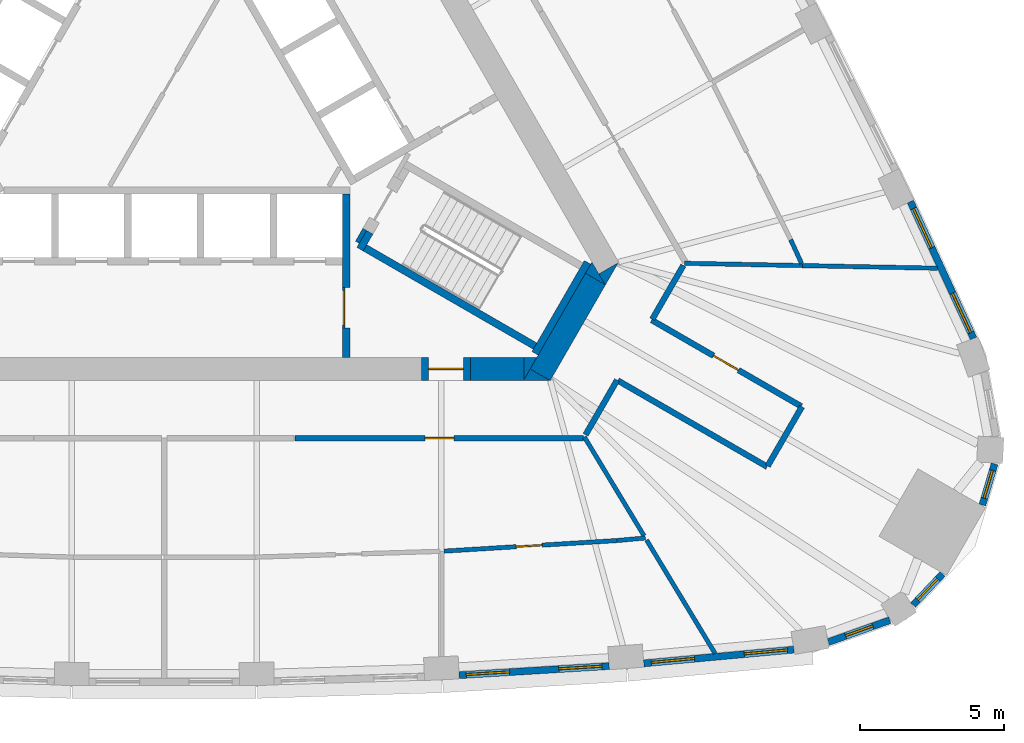
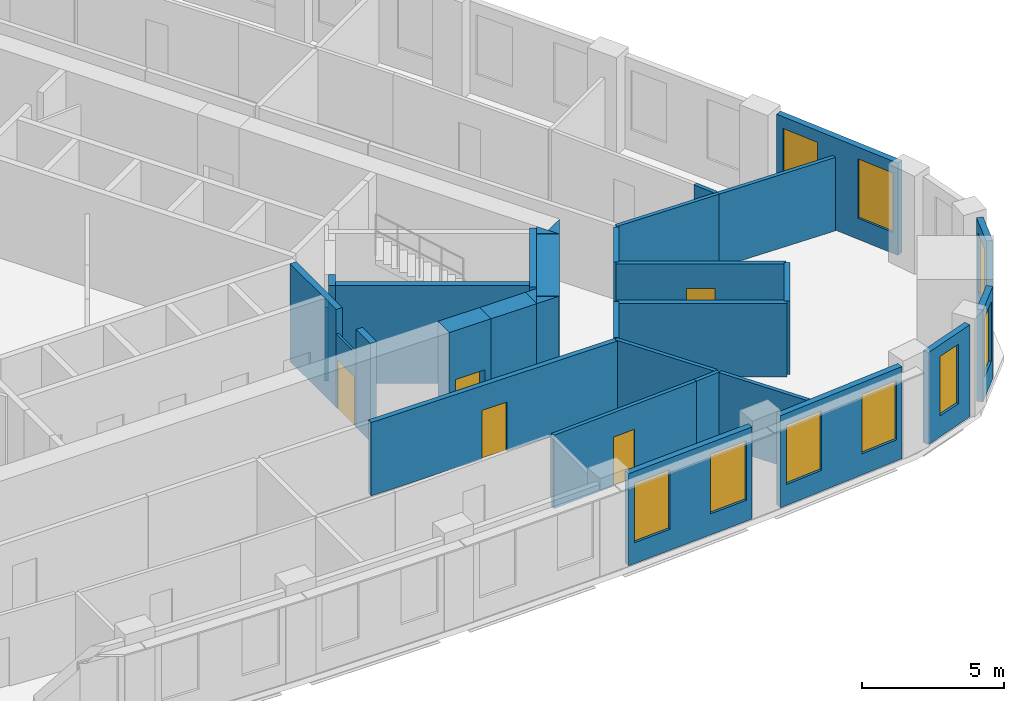
# One storey, part 6 of 10: 33 walls, 9 windows, 5 doors, 14 openings.
"""IFC4 building model written with IfcOpenShell, lengths in metres."""

from ifc_helpers import new_model, si_unit, direction, frame, frame_2d, origin, place, context, subcontext, project, spatial, polyline, rectangle, outline, extrude, material, layer, layer_set, type_object, element, fill, save


model = new_model("IFC4")

# Units and contexts
model_context = context("Model", 3, precision=1e-05, world=origin(), true_north=direction((0.0, 1.0)))
body_context = subcontext(model_context, "Body", "Model", "MODEL_VIEW")
ifc_project = project(units=[si_unit("LENGTHUNIT", "METRE"), si_unit("AREAUNIT", "SQUARE_METRE"), si_unit("VOLUMEUNIT", "CUBIC_METRE"), si_unit("PLANEANGLEUNIT", "RADIAN"), si_unit("MASSUNIT", "GRAM", prefix="KILO")], contexts=[model_context])

# Site, building, storey
site_placement = place(None, origin())
site = spatial("IfcSite", under=ifc_project, at=site_placement, CompositionType="ELEMENT")
building_placement = place(site_placement, origin())
building = spatial("IfcBuilding", under=site, at=building_placement, Name="Mestral Congress Tower", CompositionType="ELEMENT")
storey_placement = place(building_placement, frame((0.0, 0.0, 162.60009765625)))
storey = spatial("IfcBuildingStorey", under=building, at=storey_placement, Name="L38", CompositionType="ELEMENT", Elevation=162.60009765625)

# Wall
ifc_material_1 = material(Name="Fire-rated board partition")
ifc_layer_1 = layer(ifc_material_1, 0.14990234375)
ifc_layer_set_1 = layer_set([ifc_layer_1], Name="Fire-rated board partition")
wall_type_1 = type_object("IfcWallType", Name="Core partition 150", PredefinedType="PARTITIONING", material=ifc_layer_set_1)
wall_1_placement = place(storey_placement, frame((6.94482421875, -5.22216796875, 0.0), z_axis=(0.0, 0.0, 1.0), x_axis=(-0.499818422106, -0.866130212453, 0.0)))
element("IfcWall", 1, at=wall_1_placement, inside=storey, type_object=wall_type_1, Name="L38 core wall", PredefinedType="PARTITIONING", context=body_context, shape_type="SweptSolid", body=[
    extrude(rectangle(XDim=0.513916015625, YDim=0.14990234375, at=frame_2d((0.2568359375, 0.0))), origin(), (0.0, 0.0, 1.0), 3.14990234375),
])

# Wall, opening, door
ifc_layer_2 = layer(ifc_material_1, 0.090087890625)
ifc_layer_set_2 = layer_set([ifc_layer_2], Name="Fire-rated board partition")
wall_type_2 = type_object("IfcWallType", Name="Core partition 150 door-wall 90", PredefinedType="PARTITIONING", material=ifc_layer_set_2)
wall_2_placement = place(storey_placement, frame((6.219970703125, -7.23681640625, 0.0), z_axis=(0.0, 0.0, 1.0), x_axis=(0.0, -1.0, 0.0)))
wall_2 = element("IfcWall", 2, at=wall_2_placement, inside=storey, type_object=wall_type_2, Name="L38 door wall", PredefinedType="PARTITIONING", context=body_context, shape_type="SweptSolid", body=[
    extrude(rectangle(XDim=1.400146484375, YDim=0.090087890625, at=frame_2d((0.7001953125, 0.0))), origin(), (0.0, 0.0, 1.0), 3.14990234375),
])
opening_1_placement = place(wall_2_placement, frame((0.10009765625, 0.0, 0.0)))
opening_1 = element("IfcOpeningElement", 3, at=opening_1_placement, cuts=wall_2, Name="Opening LB0-WL1", PredefinedType="OPENING", context=body_context, shape_type="SweptSolid", body=[
    extrude(rectangle(XDim=1.199951171875, YDim=2.10009765625, at=frame_2d((0.60009765625, 1.050048828125))), frame((0.0, 0.054931640625, 0.0), z_axis=(0.0, -1.0, 0.0), x_axis=(1.0, 0.0, 0.0)), (0.0, 0.0, 1.0), 0.110107421875),
])
ifc_material_2 = material(Name="Fire-rated steel door set", Category="steel")
door_type_1 = type_object("IfcDoorType", Name="Core door LB 1200x2100", OperationType="SINGLE_SWING_LEFT", PredefinedType="DOOR", material=ifc_material_2)
door_1_placement = place(opening_1_placement, origin())
door_1 = element("IfcDoor", 4, at=door_1_placement, inside=storey, type_object=door_type_1, Name="Door LB0-WL1", OperationType="SINGLE_SWING_LEFT", OverallHeight=2.10009765625, OverallWidth=1.199951171875, PredefinedType="DOOR", context=body_context, shape_type="SweptSolid", body=[
    extrude(rectangle(XDim=1.199951171875, YDim=2.10009765625, at=frame_2d((0.60009765625, 1.050048828125))), frame((0.0, 0.02490234375, 0.0), z_axis=(0.0, -1.0, 0.0), x_axis=(1.0, 0.0, 0.0)), (0.0, 0.0, 1.0), 0.050048828125),
])
fill(opening_1, door_1)

# Walls
ifc_material_3 = material(Name="Concrete C60/75", Category="concrete")
ifc_layer_3 = layer(ifc_material_3, 0.800048828125)
ifc_layer_set_3 = layer_set([ifc_layer_3], Name="Concrete C60/75")
wall_type_3 = type_object("IfcWallType", Name="Core wall RC 800", PredefinedType="SOLIDWALL", material=ifc_layer_set_3)
placement = place(storey_placement, origin())
element("IfcWall", 5, at=placement, inside=storey, type_object=wall_type_3, Name="L38 core wall", PredefinedType="SOLIDWALL", context=body_context, shape_type="SweptSolid", body=[
    extrude(outline(polyline([(15.27099609375, -7.14990234375), (15.046875, -6.761962890625), (15.718994140625, -6.3740234375), (15.27099609375, -7.14990234375)])), origin(), (0.0, 0.0, 1.0), 4.199951171875),
])
wall_4_placement = place(storey_placement, frame((13.018310546875, -10.251708984375, 0.0), z_axis=(0.0, 0.0, 1.0), x_axis=(0.499984020225, 0.866034629516, 0.0)))
element("IfcWall", 6, at=wall_4_placement, inside=storey, type_object=wall_type_3, Name="L38 core wall", PredefinedType="SOLIDWALL", context=body_context, shape_type="SweptSolid", body=[
    extrude(rectangle(XDim=3.824462890625, YDim=0.800048828125, at=frame_2d((1.912109375, 0.0))), origin(), (0.0, 0.0, 1.0), 4.199951171875),
])
element("IfcWall", 7, at=placement, inside=storey, type_object=wall_type_3, Name="L38 core wall", PredefinedType="SOLIDWALL", context=body_context, shape_type="SweptSolid", body=[
    extrude(outline(polyline([(12.44189453125, -10.449951171875), (12.6708984375, -10.053466796875), (13.35791015625, -10.449951171875), (12.44189453125, -10.449951171875)])), origin(), (0.0, 0.0, 1.0), 4.199951171875),
])
element("IfcWall", 8, at=placement, inside=storey, type_object=wall_type_3, Name="L38 core wall", PredefinedType="SOLIDWALL", context=body_context, shape_type="SweptSolid", body=[
    extrude(outline(polyline([(14.80908203125, -6.35009765625), (15.257080078125, -7.1259765625), (14.5849609375, -6.738037109375), (14.80908203125, -6.35009765625)])), origin(), (0.0, 0.0, 1.0), 4.199951171875),
])
wall_7_placement = place(storey_placement, frame((10.6044921875, -10.050048828125, 0.0), z_axis=(0.0, 0.0, 1.0), x_axis=(1.0, 0.0, 0.0)))
element("IfcWall", 9, at=wall_7_placement, inside=storey, type_object=wall_type_3, Name="L38 core wall", PredefinedType="SOLIDWALL", context=body_context, shape_type="SweptSolid", body=[
    extrude(rectangle(XDim=1.849365234375, YDim=0.800048828125, at=frame_2d((0.9248046875, 0.0))), origin(), (0.0, 0.0, 1.0), 4.199951171875),
])
element("IfcWall", 10, at=placement, inside=storey, type_object=wall_type_3, Name="L38 core wall", PredefinedType="SOLIDWALL", context=body_context, shape_type="SweptSolid", body=[
    extrude(outline(polyline([(12.90380859375, -9.64990234375), (12.455810546875, -10.42578125), (12.455810546875, -9.64990234375), (12.90380859375, -9.64990234375)])), origin(), (0.0, 0.0, 1.0), 4.199951171875),
])

# Wall, opening, door
wall_9_placement = place(storey_placement, frame((10.6044921875, -10.050048828125, 0.0), z_axis=(0.0, 0.0, 1.0), x_axis=(-1.0, 0.0, 0.0)))
wall_9 = element("IfcWall", 11, at=wall_9_placement, inside=storey, type_object=wall_type_3, Name="L38 door wall", PredefinedType="SOLIDWALL", context=body_context, shape_type="SweptSolid", body=[
    extrude(rectangle(XDim=1.699951171875, YDim=0.800048828125, at=frame_2d((0.85009765625, 0.0))), origin(), (0.0, 0.0, 1.0), 4.199951171875),
])
opening_2_placement = place(wall_9_placement, frame((0.25, 0.0, 0.0)))
opening_2 = element("IfcOpeningElement", 12, at=opening_2_placement, cuts=wall_9, Name="Opening XD1", PredefinedType="OPENING", context=body_context, shape_type="SweptSolid", body=[
    extrude(rectangle(XDim=1.199951171875, YDim=2.10009765625, at=frame_2d((0.60009765625, 1.050048828125))), frame((0.0, 0.409912109375, 0.0), z_axis=(0.0, -1.0, 0.0), x_axis=(1.0, 0.0, 0.0)), (0.0, 0.0, 1.0), 0.820068359375),
])
door_type_2 = type_object("IfcDoorType", Name="Core door XD 1200x2100", OperationType="SINGLE_SWING_LEFT", PredefinedType="DOOR", material=ifc_material_2)
door_2_placement = place(opening_2_placement, origin())
door_2 = element("IfcDoor", 13, at=door_2_placement, inside=storey, type_object=door_type_2, Name="Door XD1", OperationType="SINGLE_SWING_LEFT", OverallHeight=2.10009765625, OverallWidth=1.199951171875, PredefinedType="DOOR", context=body_context, shape_type="SweptSolid", body=[
    extrude(rectangle(XDim=1.199951171875, YDim=2.10009765625, at=frame_2d((0.60009765625, 1.050048828125))), frame((0.0, 0.02490234375, 0.0), z_axis=(0.0, -1.0, 0.0), x_axis=(1.0, 0.0, 0.0)), (0.0, 0.0, 1.0), 0.050048828125),
])
fill(opening_2, door_2)

# Wall, openings, windows
ifc_material_4 = material(Name="Precast concrete C40/50 with limestone facing", Category="masonry")
ifc_layer_4 = layer(ifc_material_4, 0.239990234375)
ifc_layer_set_4 = layer_set([ifc_layer_4], Name="Precast concrete C40/50 with limestone facing")
wall_type_4 = type_object("IfcWallType", Name="Facade stone wall 240", PredefinedType="SOLIDWALL", material=ifc_layer_set_4)
wall_10_placement = place(storey_placement, frame((10.210693359375, -20.656005859375, 0.0), z_axis=(0.0, 0.0, 1.0), x_axis=(0.998135294646, 0.061040425794, 0.0)))
wall_10 = element("IfcWall", 14, at=wall_10_placement, inside=storey, type_object=wall_type_4, Name="Facade wall F0-05", PredefinedType="SOLIDWALL", context=body_context, shape_type="SweptSolid", body=[
    extrude(rectangle(XDim=5.20361328125, YDim=0.239990234375, at=frame_2d((2.601806640625, 0.0))), origin(), (0.0, 0.0, 1.0), 3.949951171875),
])
opening_3_placement = place(wall_10_placement, frame((0.248291015625, 0.0, 0.89990234375)))
opening_3 = element("IfcOpeningElement", 15, at=opening_3_placement, cuts=wall_10, Name="Opening W4", PredefinedType="OPENING", context=body_context, shape_type="SweptSolid", body=[
    extrude(rectangle(XDim=1.5, YDim=2.550048828125, at=frame_2d((0.75, 1.27490234375))), frame((0.0, 0.1298828125, 0.0), z_axis=(0.0, -1.0, 0.0), x_axis=(1.0, 0.0, 0.0)), (0.0, 0.0, 1.0), 0.260009765625),
])
opening_4_placement = place(wall_10_placement, frame((3.455078125, 0.0, 0.89990234375)))
opening_4 = element("IfcOpeningElement", 16, at=opening_4_placement, cuts=wall_10, Name="Opening W4", PredefinedType="OPENING", context=body_context, shape_type="SweptSolid", body=[
    extrude(rectangle(XDim=1.5, YDim=2.550048828125, at=frame_2d((0.75, 1.27490234375))), frame((0.0, 0.1298828125, 0.0), z_axis=(0.0, -1.0, 0.0), x_axis=(1.0, 0.0, 0.0)), (0.0, 0.0, 1.0), 0.260009765625),
])
ifc_material_5 = material(Name="Clear low-emissivity double glazing", Category="glass")
window_type_1 = type_object("IfcWindowType", Name="Facade punched window 1500 x 2550 sill 900", PartitioningType="SINGLE_PANEL", PredefinedType="WINDOW", material=ifc_material_5)
window_1_placement = place(opening_3_placement, origin())
window_1 = element("IfcWindow", 17, at=window_1_placement, inside=storey, type_object=window_type_1, Name="Window F0-05a", OverallHeight=2.550048828125, OverallWidth=1.5, PartitioningType="SINGLE_PANEL", PredefinedType="WINDOW", context=body_context, shape_type="SweptSolid", body=[
    extrude(rectangle(XDim=1.5, YDim=2.550048828125, at=frame_2d((0.75, 1.27490234375))), frame((0.0, 0.0400390625, 0.0), z_axis=(0.0, -1.0, 0.0), x_axis=(1.0, 0.0, 0.0)), (0.0, 0.0, 1.0), 0.06005859375),
])
fill(opening_3, window_1)
window_2_placement = place(opening_4_placement, origin())
window_2 = element("IfcWindow", 18, at=window_2_placement, inside=storey, type_object=window_type_1, Name="Window F0-05b", OverallHeight=2.550048828125, OverallWidth=1.5, PartitioningType="SINGLE_PANEL", PredefinedType="WINDOW", context=body_context, shape_type="SweptSolid", body=[
    extrude(rectangle(XDim=1.5, YDim=2.550048828125, at=frame_2d((0.75, 1.27490234375))), frame((0.0, 0.0400390625, 0.0), z_axis=(0.0, -1.0, 0.0), x_axis=(1.0, 0.0, 0.0)), (0.0, 0.0, 1.0), 0.06005859375),
])
fill(opening_4, window_2)

wall_11_placement = place(storey_placement, frame((16.605712890625, -20.24658203125, 0.0), z_axis=(0.0, 0.0, 1.0), x_axis=(0.995808712151, 0.091460422067, 0.0)))
wall_11 = element("IfcWall", 19, at=wall_11_placement, inside=storey, type_object=wall_type_4, Name="Facade wall F0-06", PredefinedType="SOLIDWALL", context=body_context, shape_type="SweptSolid", body=[
    extrude(rectangle(XDim=5.213134765625, YDim=0.239990234375, at=frame_2d((2.6064453125, 0.0))), origin(), (0.0, 0.0, 1.0), 3.949951171875),
])
opening_5_placement = place(wall_11_placement, frame((0.2607421875, 0.0, 0.89990234375)))
opening_5 = element("IfcOpeningElement", 20, at=opening_5_placement, cuts=wall_11, Name="Opening W4", PredefinedType="OPENING", context=body_context, shape_type="SweptSolid", body=[
    extrude(rectangle(XDim=1.5, YDim=2.550048828125, at=frame_2d((0.75, 1.27490234375))), frame((0.0, 0.1298828125, 0.0), z_axis=(0.0, -1.0, 0.0), x_axis=(1.0, 0.0, 0.0)), (0.0, 0.0, 1.0), 0.260009765625),
])
opening_6_placement = place(wall_11_placement, frame((3.492431640625, 0.0, 0.89990234375)))
opening_6 = element("IfcOpeningElement", 21, at=opening_6_placement, cuts=wall_11, Name="Opening W4", PredefinedType="OPENING", context=body_context, shape_type="SweptSolid", body=[
    extrude(rectangle(XDim=1.5, YDim=2.550048828125, at=frame_2d((0.75, 1.27490234375))), frame((0.0, 0.1298828125, 0.0), z_axis=(0.0, -1.0, 0.0), x_axis=(1.0, 0.0, 0.0)), (0.0, 0.0, 1.0), 0.260009765625),
])
window_3_placement = place(opening_5_placement, origin())
window_3 = element("IfcWindow", 22, at=window_3_placement, inside=storey, type_object=window_type_1, Name="Window F0-06a", OverallHeight=2.550048828125, OverallWidth=1.5, PartitioningType="SINGLE_PANEL", PredefinedType="WINDOW", context=body_context, shape_type="SweptSolid", body=[
    extrude(rectangle(XDim=1.5, YDim=2.550048828125, at=frame_2d((0.75, 1.27490234375))), frame((0.0, 0.0400390625, 0.0), z_axis=(0.0, -1.0, 0.0), x_axis=(1.0, 0.0, 0.0)), (0.0, 0.0, 1.0), 0.06005859375),
])
fill(opening_5, window_3)
window_4_placement = place(opening_6_placement, origin())
window_4 = element("IfcWindow", 23, at=window_4_placement, inside=storey, type_object=window_type_1, Name="Window F0-06b", OverallHeight=2.550048828125, OverallWidth=1.5, PartitioningType="SINGLE_PANEL", PredefinedType="WINDOW", context=body_context, shape_type="SweptSolid", body=[
    extrude(rectangle(XDim=1.5, YDim=2.550048828125, at=frame_2d((0.75, 1.27490234375))), frame((0.0, 0.0400390625, 0.0), z_axis=(0.0, -1.0, 0.0), x_axis=(1.0, 0.0, 0.0)), (0.0, 0.0, 1.0), 0.06005859375),
])
fill(opening_6, window_4)

# Wall, opening, window
wall_12_placement = place(storey_placement, frame((23.0009765625, -19.50537109375, 0.0), z_axis=(0.0, 0.0, 1.0), x_axis=(0.942099727267, 0.335332825539, 0.0)))
wall_12 = element("IfcWall", 24, at=wall_12_placement, inside=storey, type_object=wall_type_4, Name="Facade wall K0-0", PredefinedType="SOLIDWALL", context=body_context, shape_type="SweptSolid", body=[
    extrude(rectangle(XDim=2.25048828125, YDim=0.239990234375, at=frame_2d((1.125244140625, 0.0))), origin(), (0.0, 0.0, 1.0), 3.949951171875),
])
opening_7_placement = place(wall_12_placement, frame((0.625244140625, 0.0, 0.89990234375)))
opening_7 = element("IfcOpeningElement", 25, at=opening_7_placement, cuts=wall_12, Name="Opening W5", PredefinedType="OPENING", context=body_context, shape_type="SweptSolid", body=[
    extrude(rectangle(XDim=1.0, YDim=2.550048828125, at=frame_2d((0.5, 1.27490234375))), frame((0.0, 0.1298828125, 0.0), z_axis=(0.0, -1.0, 0.0), x_axis=(1.0, 0.0, 0.0)), (0.0, 0.0, 1.0), 0.260009765625),
])
window_type_2 = type_object("IfcWindowType", Name="Facade punched window 1000 x 2550 sill 900", PartitioningType="SINGLE_PANEL", PredefinedType="WINDOW", material=ifc_material_5)
window_5_placement = place(opening_7_placement, origin())
window_5 = element("IfcWindow", 26, at=window_5_placement, inside=storey, type_object=window_type_2, Name="Window K0-0", OverallHeight=2.550048828125, OverallWidth=1.0, PartitioningType="SINGLE_PANEL", PredefinedType="WINDOW", context=body_context, shape_type="SweptSolid", body=[
    extrude(rectangle(XDim=1.0, YDim=2.550048828125, at=frame_2d((0.5, 1.27490234375))), frame((0.0, 0.0400390625, 0.0), z_axis=(0.0, -1.0, 0.0), x_axis=(1.0, 0.0, 0.0)), (0.0, 0.0, 1.0), 0.06005859375),
])
fill(opening_7, window_5)

wall_13_placement = place(storey_placement, frame((25.9267578125, -18.226318359375, 0.0), z_axis=(0.0, 0.0, 1.0), x_axis=(0.687986858937, 0.725723144133, 0.0)))
wall_13 = element("IfcWall", 27, at=wall_13_placement, inside=storey, type_object=wall_type_4, Name="Facade wall K0-1", PredefinedType="SOLIDWALL", context=body_context, shape_type="SweptSolid", body=[
    extrude(rectangle(XDim=1.4814453125, YDim=0.239990234375, at=frame_2d((0.74072265625, 0.0))), origin(), (0.0, 0.0, 1.0), 3.949951171875),
])
opening_8_placement = place(wall_13_placement, frame((0.24072265625, 0.0, 0.89990234375)))
opening_8 = element("IfcOpeningElement", 28, at=opening_8_placement, cuts=wall_13, Name="Opening W5", PredefinedType="OPENING", context=body_context, shape_type="SweptSolid", body=[
    extrude(rectangle(XDim=1.0, YDim=2.550048828125, at=frame_2d((0.5, 1.27490234375))), frame((0.0, 0.1298828125, 0.0), z_axis=(0.0, -1.0, 0.0), x_axis=(1.0, 0.0, 0.0)), (0.0, 0.0, 1.0), 0.260009765625),
])
window_6_placement = place(opening_8_placement, origin())
window_6 = element("IfcWindow", 29, at=window_6_placement, inside=storey, type_object=window_type_2, Name="Window K0-1", OverallHeight=2.550048828125, OverallWidth=1.0, PartitioningType="SINGLE_PANEL", PredefinedType="WINDOW", context=body_context, shape_type="SweptSolid", body=[
    extrude(rectangle(XDim=1.0, YDim=2.550048828125, at=frame_2d((0.5, 1.27490234375))), frame((0.0, 0.0400390625, 0.0), z_axis=(0.0, -1.0, 0.0), x_axis=(1.0, 0.0, 0.0)), (0.0, 0.0, 1.0), 0.06005859375),
])
fill(opening_8, window_6)

wall_14_placement = place(storey_placement, frame((28.326416015625, -14.760498046875, 0.0), z_axis=(0.0, 0.0, 1.0), x_axis=(0.284413721403, 0.958701640281, 0.0)))
wall_14 = element("IfcWall", 30, at=wall_14_placement, inside=storey, type_object=wall_type_4, Name="Facade wall K0-2", PredefinedType="SOLIDWALL", context=body_context, shape_type="SweptSolid", body=[
    extrude(rectangle(XDim=1.481689453125, YDim=0.239990234375, at=frame_2d((0.74072265625, 0.0))), origin(), (0.0, 0.0, 1.0), 3.949951171875),
])
opening_9_placement = place(wall_14_placement, frame((0.24072265625, 0.0, 0.89990234375)))
opening_9 = element("IfcOpeningElement", 31, at=opening_9_placement, cuts=wall_14, Name="Opening W5", PredefinedType="OPENING", context=body_context, shape_type="SweptSolid", body=[
    extrude(rectangle(XDim=1.0, YDim=2.550048828125, at=frame_2d((0.5, 1.27490234375))), frame((0.0, 0.1298828125, 0.0), z_axis=(0.0, -1.0, 0.0), x_axis=(1.0, 0.0, 0.0)), (0.0, 0.0, 1.0), 0.260009765625),
])
window_7_placement = place(opening_9_placement, origin())
window_7 = element("IfcWindow", 32, at=window_7_placement, inside=storey, type_object=window_type_2, Name="Window K0-2", OverallHeight=2.550048828125, OverallWidth=1.0, PartitioningType="SINGLE_PANEL", PredefinedType="WINDOW", context=body_context, shape_type="SweptSolid", body=[
    extrude(rectangle(XDim=1.0, YDim=2.550048828125, at=frame_2d((0.5, 1.27490234375))), frame((0.0, 0.0400390625, 0.0), z_axis=(0.0, -1.0, 0.0), x_axis=(1.0, 0.0, 0.0)), (0.0, 0.0, 1.0), 0.06005859375),
])
fill(opening_9, window_7)

# Wall, openings, windows
wall_15_placement = place(storey_placement, frame((28.019775390625, -8.991943359375, 0.0), z_axis=(0.0, 0.0, 1.0), x_axis=(-0.418722559465, 0.908114209885, 0.0)))
wall_15 = element("IfcWall", 33, at=wall_15_placement, inside=storey, type_object=wall_type_4, Name="Facade wall F1-00", PredefinedType="SOLIDWALL", context=body_context, shape_type="SweptSolid", body=[
    extrude(rectangle(XDim=5.213134765625, YDim=0.239990234375, at=frame_2d((2.6064453125, 0.0))), origin(), (0.0, 0.0, 1.0), 3.949951171875),
])
opening_10_placement = place(wall_15_placement, frame((0.220947265625, 0.0, 0.89990234375)))
opening_10 = element("IfcOpeningElement", 34, at=opening_10_placement, cuts=wall_15, Name="Opening W4", PredefinedType="OPENING", context=body_context, shape_type="SweptSolid", body=[
    extrude(rectangle(XDim=1.5, YDim=2.550048828125, at=frame_2d((0.75, 1.27490234375))), frame((0.0, 0.1298828125, 0.0), z_axis=(0.0, -1.0, 0.0), x_axis=(1.0, 0.0, 0.0)), (0.0, 0.0, 1.0), 0.260009765625),
])
opening_11_placement = place(wall_15_placement, frame((3.452392578125, 0.0, 0.89990234375)))
opening_11 = element("IfcOpeningElement", 35, at=opening_11_placement, cuts=wall_15, Name="Opening W4", PredefinedType="OPENING", context=body_context, shape_type="SweptSolid", body=[
    extrude(rectangle(XDim=1.5, YDim=2.550048828125, at=frame_2d((0.75, 1.27490234375))), frame((0.0, 0.1298828125, 0.0), z_axis=(0.0, -1.0, 0.0), x_axis=(1.0, 0.0, 0.0)), (0.0, 0.0, 1.0), 0.260009765625),
])
window_8_placement = place(opening_10_placement, origin())
window_8 = element("IfcWindow", 36, at=window_8_placement, inside=storey, type_object=window_type_1, Name="Window F1-00a", OverallHeight=2.550048828125, OverallWidth=1.5, PartitioningType="SINGLE_PANEL", PredefinedType="WINDOW", context=body_context, shape_type="SweptSolid", body=[
    extrude(rectangle(XDim=1.5, YDim=2.550048828125, at=frame_2d((0.75, 1.27490234375))), frame((0.0, 0.0400390625, 0.0), z_axis=(0.0, -1.0, 0.0), x_axis=(1.0, 0.0, 0.0)), (0.0, 0.0, 1.0), 0.06005859375),
])
fill(opening_10, window_8)
window_9_placement = place(opening_11_placement, origin())
window_9 = element("IfcWindow", 37, at=window_9_placement, inside=storey, type_object=window_type_1, Name="Window F1-00b", OverallHeight=2.550048828125, OverallWidth=1.5, PartitioningType="SINGLE_PANEL", PredefinedType="WINDOW", context=body_context, shape_type="SweptSolid", body=[
    extrude(rectangle(XDim=1.5, YDim=2.550048828125, at=frame_2d((0.75, 1.27490234375))), frame((0.0, 0.0400390625, 0.0), z_axis=(0.0, -1.0, 0.0), x_axis=(1.0, 0.0, 0.0)), (0.0, 0.0, 1.0), 0.06005859375),
])
fill(opening_11, window_9)

# Wall, opening, door
ifc_material_6 = material(Name="Plasterboard partition on steel studs", Category="steel")
ifc_layer_5 = layer(ifc_material_6, 0.14990234375)
ifc_layer_set_5 = layer_set([ifc_layer_5], Name="Plasterboard partition on steel studs")
wall_type_5 = type_object("IfcWallType", Name="Office partition 150", PredefinedType="PARTITIONING", material=ifc_layer_set_5)
wall_16_placement = place(storey_placement, frame((15.676513671875, -15.99365234375, 0.0), z_axis=(0.0, 0.0, 1.0), x_axis=(-0.998135339661, -0.061039689709, 0.0)))
wall_16 = element("IfcWall", 38, at=wall_16_placement, inside=storey, type_object=wall_type_5, Name="Partition", PredefinedType="PARTITIONING", context=body_context, shape_type="SweptSolid", body=[
    extrude(rectangle(XDim=5.99560546875, YDim=0.14990234375, at=frame_2d((2.997802734375, 0.0))), origin(), (0.0, 0.0, 1.0), 3.14990234375),
])
opening_12_placement = place(wall_16_placement, frame((2.595458984375, 0.0, 0.0)))
opening_12 = element("IfcOpeningElement", 39, at=opening_12_placement, cuts=wall_16, Name="Opening O02-002", PredefinedType="OPENING", context=body_context, shape_type="SweptSolid", body=[
    extrude(rectangle(XDim=0.89990234375, YDim=2.10009765625, at=frame_2d((0.449951171875, 1.050048828125))), frame((0.0, 0.0849609375, 0.0), z_axis=(0.0, -1.0, 0.0), x_axis=(1.0, 0.0, 0.0)), (0.0, 0.0, 1.0), 0.169921875),
])
ifc_material_7 = material(Name="Timber door set", Category="wood")
door_type_3 = type_object("IfcDoorType", Name="Office door 900x2100", OperationType="SINGLE_SWING_LEFT", PredefinedType="DOOR", material=ifc_material_7)
door_3_placement = place(opening_12_placement, origin())
door_3 = element("IfcDoor", 40, at=door_3_placement, inside=storey, type_object=door_type_3, Name="Door O02-002", OperationType="SINGLE_SWING_RIGHT", OverallHeight=2.10009765625, OverallWidth=0.89990234375, PredefinedType="DOOR", context=body_context, shape_type="SweptSolid", body=[
    extrude(rectangle(XDim=0.89990234375, YDim=2.10009765625, at=frame_2d((0.449951171875, 1.050048828125))), frame((0.0, 0.02490234375, 0.0), z_axis=(0.0, -1.0, 0.0), x_axis=(1.0, 0.0, 0.0)), (0.0, 0.0, 1.0), 0.050048828125),
])
fill(opening_12, door_3)

# Walls
wall_17_placement = place(storey_placement, frame((15.676513671875, -15.99365234375, 0.0), z_axis=(0.0, 0.0, 1.0), x_axis=(0.995813637999, 0.091406774234, 0.0)))
element("IfcWall", 41, at=wall_17_placement, inside=storey, type_object=wall_type_5, Name="Partition", PredefinedType="PARTITIONING", context=body_context, shape_type="SweptSolid", body=[
    extrude(rectangle(XDim=0.985595703125, YDim=0.14990234375, at=frame_2d((0.49267578125, 0.0))), origin(), (0.0, 0.0, 1.0), 3.14990234375),
])
wall_18_placement = place(storey_placement, frame((16.700927734375, -15.974853515625, 0.0), z_axis=(0.0, 0.0, 1.0), x_axis=(0.516819763142, -0.856094231043, 0.0)))
element("IfcWall", 42, at=wall_18_placement, inside=storey, type_object=wall_type_5, Name="Partition", PredefinedType="PARTITIONING", context=body_context, shape_type="SweptSolid", body=[
    extrude(rectangle(XDim=4.58447265625, YDim=0.14990234375, at=frame_2d((2.292236328125, 0.0))), origin(), (0.0, 0.0, 1.0), 3.14990234375),
])
wall_19_placement = place(storey_placement, frame((14.546142578125, -12.405517578125, 0.0), z_axis=(0.0, 0.0, 1.0), x_axis=(0.516843798305, -0.856079720676, 0.0)))
element("IfcWall", 43, at=wall_19_placement, inside=storey, type_object=wall_type_5, Name="Partition", PredefinedType="PARTITIONING", context=body_context, shape_type="SweptSolid", body=[
    extrude(rectangle(XDim=4.0029296875, YDim=0.14990234375, at=frame_2d((2.00146484375, 0.0))), origin(), (0.0, 0.0, 1.0), 3.14990234375),
])
wall_20_placement = place(storey_placement, frame((22.097412109375, -6.474365234375, 0.0), z_axis=(0.0, 0.0, 1.0), x_axis=(0.999810044283, -0.019490391268, 0.0)))
element("IfcWall", 44, at=wall_20_placement, inside=storey, type_object=wall_type_5, Name="Partition", PredefinedType="PARTITIONING", context=body_context, shape_type="SweptSolid", body=[
    extrude(rectangle(XDim=4.67236328125, YDim=0.14990234375, at=frame_2d((2.336181640625, 0.0))), origin(), (0.0, 0.0, 1.0), 3.14990234375),
])
wall_21_placement = place(storey_placement, frame((18.016357421875, -6.39453125, 0.0), z_axis=(0.0, 0.0, 1.0), x_axis=(0.999808348885, -0.019577167837, 0.0)))
element("IfcWall", 45, at=wall_21_placement, inside=storey, type_object=wall_type_5, Name="Partition", PredefinedType="PARTITIONING", context=body_context, shape_type="SweptSolid", body=[
    extrude(rectangle(XDim=4.09033203125, YDim=0.14990234375, at=frame_2d((2.045166015625, 0.0))), origin(), (0.0, 0.0, 1.0), 3.14990234375),
])
wall_22_placement = place(storey_placement, frame((22.06689453125, -6.398681640625, 0.0), z_axis=(0.0, 0.0, 1.0), x_axis=(-0.418629119493, 0.908157288311, 0.0)))
element("IfcWall", 46, at=wall_22_placement, inside=storey, type_object=wall_type_5, Name="Partition", PredefinedType="PARTITIONING", context=body_context, shape_type="SweptSolid", body=[
    extrude(rectangle(XDim=0.902099609375, YDim=0.14990234375, at=frame_2d((0.451171875, 0.0))), origin(), (0.0, 0.0, 1.0), 3.14990234375),
])

# Wall, opening, door
ifc_material_8 = material(Name="Dense masonry wall, plastered", Category="masonry")
ifc_layer_6 = layer(ifc_material_8, 0.199951171875)
ifc_layer_set_6 = layer_set([ifc_layer_6], Name="Dense masonry wall, plastered")
wall_type_6 = type_object("IfcWallType", Name="Office tenancy wall 200", PredefinedType="PARTITIONING", material=ifc_layer_set_6)
wall_23_placement = place(storey_placement, frame((4.530029296875, -12.449951171875, 0.0), z_axis=(0.0, 0.0, 1.0), x_axis=(1.0, 0.0, 0.0)))
wall_23 = element("IfcWall", 47, at=wall_23_placement, inside=storey, type_object=wall_type_6, Name="Tenancy wall", PredefinedType="PARTITIONING", context=body_context, shape_type="SweptSolid", body=[
    extrude(rectangle(XDim=9.990478515625, YDim=0.199951171875, at=frame_2d((4.9951171875, 0.0))), origin(), (0.0, 0.0, 1.0), 3.14990234375),
])
opening_13_placement = place(wall_23_placement, frame((4.5, 0.0, 0.0)))
opening_13 = element("IfcOpeningElement", 48, at=opening_13_placement, cuts=wall_23, Name="Opening O02-003", PredefinedType="OPENING", context=body_context, shape_type="SweptSolid", body=[
    extrude(rectangle(XDim=1.0, YDim=2.10009765625, at=frame_2d((0.5, 1.050048828125))), frame((0.0, 0.10986328125, 0.0), z_axis=(0.0, -1.0, 0.0), x_axis=(1.0, 0.0, 0.0)), (0.0, 0.0, 1.0), 0.219970703125),
])
ifc_material_9 = material(Name="Fire-rated timber door set", Category="wood")
door_type_4 = type_object("IfcDoorType", Name="Office tenancy entrance door 1000x2100", OperationType="SINGLE_SWING_LEFT", PredefinedType="DOOR", material=ifc_material_9)
door_4_placement = place(opening_13_placement, origin())
door_4 = element("IfcDoor", 49, at=door_4_placement, inside=storey, type_object=door_type_4, Name="Door O02-003", OperationType="SINGLE_SWING_RIGHT", OverallHeight=2.10009765625, OverallWidth=1.0, PredefinedType="DOOR", context=body_context, shape_type="SweptSolid", body=[
    extrude(rectangle(XDim=1.0, YDim=2.10009765625, at=frame_2d((0.5, 1.050048828125))), frame((0.0, 0.02490234375, 0.0), z_axis=(0.0, -1.0, 0.0), x_axis=(1.0, 0.0, 0.0)), (0.0, 0.0, 1.0), 0.050048828125),
])
fill(opening_13, door_4)

# Walls
wall_24_placement = place(storey_placement, frame((14.5888671875, -12.331298828125, 0.0), z_axis=(0.0, 0.0, 1.0), x_axis=(0.500044870432, 0.865999496279, 0.0)))
element("IfcWall", 50, at=wall_24_placement, inside=storey, type_object=wall_type_6, Name="Tenancy wall", PredefinedType="PARTITIONING", context=body_context, shape_type="SweptSolid", body=[
    extrude(rectangle(XDim=2.184814453125, YDim=0.199951171875, at=frame_2d((1.09228515625, 0.0))), origin(), (0.0, 0.0, 1.0), 3.14990234375),
])
wall_25_placement = place(storey_placement, frame((15.707275390625, -10.4541015625, 0.0), z_axis=(0.0, 0.0, 1.0), x_axis=(0.866017375886, -0.50001390447, 0.0)))
element("IfcWall", 51, at=wall_25_placement, inside=storey, type_object=wall_type_6, Name="Tenancy wall", PredefinedType="PARTITIONING", context=body_context, shape_type="SweptSolid", body=[
    extrude(rectangle(XDim=5.969970703125, YDim=0.199951171875, at=frame_2d((2.98486328125, 0.0))), origin(), (0.0, 0.0, 1.0), 3.14990234375),
])
wall_26_placement = place(storey_placement, frame((20.892333984375, -13.4130859375, 0.0), z_axis=(0.0, 0.0, 1.0), x_axis=(0.500061319399, 0.865989998118, 0.0)))
element("IfcWall", 52, at=wall_26_placement, inside=storey, type_object=wall_type_6, Name="Tenancy wall", PredefinedType="PARTITIONING", context=body_context, shape_type="SweptSolid", body=[
    extrude(rectangle(XDim=2.369873046875, YDim=0.199951171875, at=frame_2d((1.18505859375, 0.0))), origin(), (0.0, 0.0, 1.0), 3.14990234375),
])

# Wall, opening, door
wall_27_placement = place(storey_placement, frame((22.051513671875, -11.345703125, 0.0), z_axis=(0.0, 0.0, 1.0), x_axis=(-0.86603508376, 0.499983233416, 0.0)))
wall_27 = element("IfcWall", 53, at=wall_27_placement, inside=storey, type_object=wall_type_6, Name="Tenancy wall", PredefinedType="PARTITIONING", context=body_context, shape_type="SweptSolid", body=[
    extrude(rectangle(XDim=5.969970703125, YDim=0.199951171875, at=frame_2d((2.98486328125, 0.0))), origin(), (0.0, 0.0, 1.0), 3.14990234375),
])
opening_14_placement = place(wall_27_placement, frame((2.5, 0.0, 0.0)))
opening_14 = element("IfcOpeningElement", 54, at=opening_14_placement, cuts=wall_27, Name="Opening O02-004", PredefinedType="OPENING", context=body_context, shape_type="SweptSolid", body=[
    extrude(rectangle(XDim=1.0, YDim=2.10009765625, at=frame_2d((0.5, 1.050048828125))), frame((0.0, 0.10986328125, 0.0), z_axis=(0.0, -1.0, 0.0), x_axis=(1.0, 0.0, 0.0)), (0.0, 0.0, 1.0), 0.219970703125),
])
door_5_placement = place(opening_14_placement, origin())
door_5 = element("IfcDoor", 55, at=door_5_placement, inside=storey, type_object=door_type_4, Name="Door O02-004", OperationType="SINGLE_SWING_RIGHT", OverallHeight=2.10009765625, OverallWidth=1.0, PredefinedType="DOOR", context=body_context, shape_type="SweptSolid", body=[
    extrude(rectangle(XDim=1.0, YDim=2.10009765625, at=frame_2d((0.5, 1.050048828125))), frame((0.0, 0.02490234375, 0.0), z_axis=(0.0, -1.0, 0.0), x_axis=(1.0, 0.0, 0.0)), (0.0, 0.0, 1.0), 0.050048828125),
])
fill(opening_14, door_5)

# Walls
wall_28_placement = place(storey_placement, frame((16.896240234375, -8.334716796875, 0.0), z_axis=(0.0, 0.0, 1.0), x_axis=(0.500026504619, 0.866010100794, 0.0)))
element("IfcWall", 56, at=wall_28_placement, inside=storey, type_object=wall_type_6, Name="Tenancy wall", PredefinedType="PARTITIONING", context=body_context, shape_type="SweptSolid", body=[
    extrude(rectangle(XDim=2.15478515625, YDim=0.199951171875, at=frame_2d((1.077392578125, 0.0))), origin(), (0.0, 0.0, 1.0), 3.14990234375),
])
ifc_layer_7 = layer(ifc_material_3, 0.25)
ifc_layer_set_7 = layer_set([ifc_layer_7], Name="Concrete C60/75")
wall_type_7 = type_object("IfcWallType", Name="Shaft wall RC 250", PredefinedType="SOLIDWALL", material=ifc_layer_set_7)
wall_29_placement = place(storey_placement, frame((6.300048828125, -7.239990234375, 0.0), z_axis=(0.0, 0.0, 1.0), x_axis=(0.0, 1.0, 0.0)))
element("IfcWall", 57, at=wall_29_placement, inside=storey, type_object=wall_type_7, Name="L38 core wall", PredefinedType="SOLIDWALL", context=body_context, shape_type="SweptSolid", body=[
    extrude(rectangle(XDim=3.239990234375, YDim=0.25, at=frame_2d((1.6201171875, 0.0))), origin(), (0.0, 0.0, 1.0), 4.199951171875),
])
wall_30_placement = place(storey_placement, frame((6.300048828125, -9.64990234375, 0.0), z_axis=(0.0, 0.0, 1.0), x_axis=(0.0, 1.0, 0.0)))
element("IfcWall", 58, at=wall_30_placement, inside=storey, type_object=wall_type_7, Name="L38 core wall", PredefinedType="SOLIDWALL", context=body_context, shape_type="SweptSolid", body=[
    extrude(rectangle(XDim=1.0078125, YDim=0.25, at=frame_2d((0.50390625, 0.0))), origin(), (0.0, 0.0, 1.0), 4.199951171875),
])
ifc_layer_8 = layer(ifc_material_3, 0.25)
ifc_layer_set_8 = layer_set([ifc_layer_8], Name="Concrete C60/75")
wall_type_8 = type_object("IfcWallType", Name="Stair wall RC 250", PredefinedType="SOLIDWALL", material=ifc_layer_set_8)
wall_31_placement = place(storey_placement, frame((12.839599609375, -9.510986328125, 0.0), z_axis=(0.0, 0.0, 1.0), x_axis=(0.499997733992, 0.866026712061, 0.0)))
element("IfcWall", 59, at=wall_31_placement, inside=storey, type_object=wall_type_8, Name="L38 core wall", PredefinedType="SOLIDWALL", context=body_context, shape_type="SweptSolid", body=[
    extrude(rectangle(XDim=3.6337890625, YDim=0.25, at=frame_2d((1.81689453125, 0.0))), origin(), (0.0, 0.0, 1.0), 4.199951171875),
])
wall_32_placement = place(storey_placement, frame((12.83984375, -9.2607421875, 0.0), z_axis=(0.0, 0.0, 1.0), x_axis=(-0.866013990052, 0.500019768644, 0.0)))
element("IfcWall", 60, at=wall_32_placement, inside=storey, type_object=wall_type_8, Name="L38 core wall", PredefinedType="SOLIDWALL", context=body_context, shape_type="SweptSolid", body=[
    extrude(rectangle(XDim=6.800048828125, YDim=0.25, at=frame_2d((3.39990234375, 0.0))), origin(), (0.0, 0.0, 1.0), 4.199951171875),
])
wall_33_placement = place(storey_placement, frame((6.780029296875, -5.906494140625, 0.0), z_axis=(0.0, 0.0, 1.0), x_axis=(0.500223362819, 0.865896406789, 0.0)))
element("IfcWall", 61, at=wall_33_placement, inside=storey, type_object=wall_type_8, Name="L38 core wall", PredefinedType="SOLIDWALL", context=body_context, shape_type="SweptSolid", body=[
    extrude(rectangle(XDim=0.675048828125, YDim=0.25, at=frame_2d((0.33740234375, 0.0))), origin(), (0.0, 0.0, 1.0), 4.199951171875),
])

save(model, "model.ifc")
